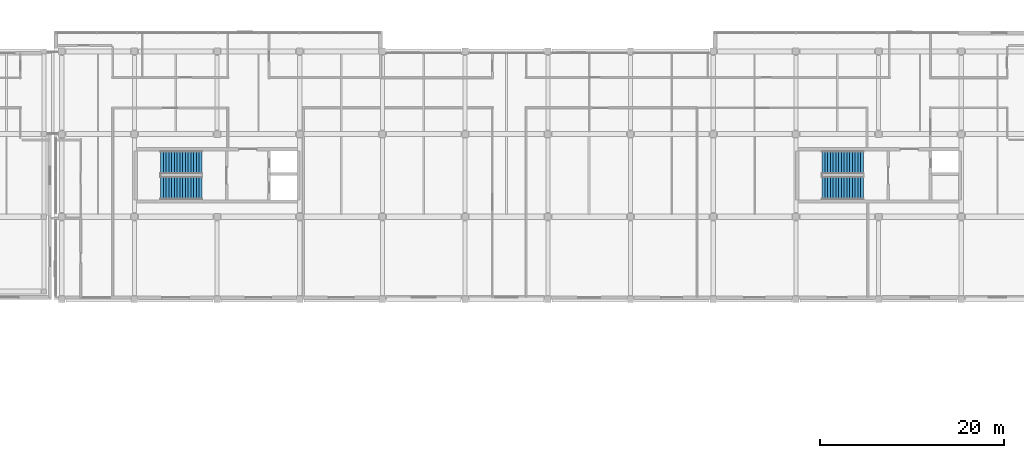
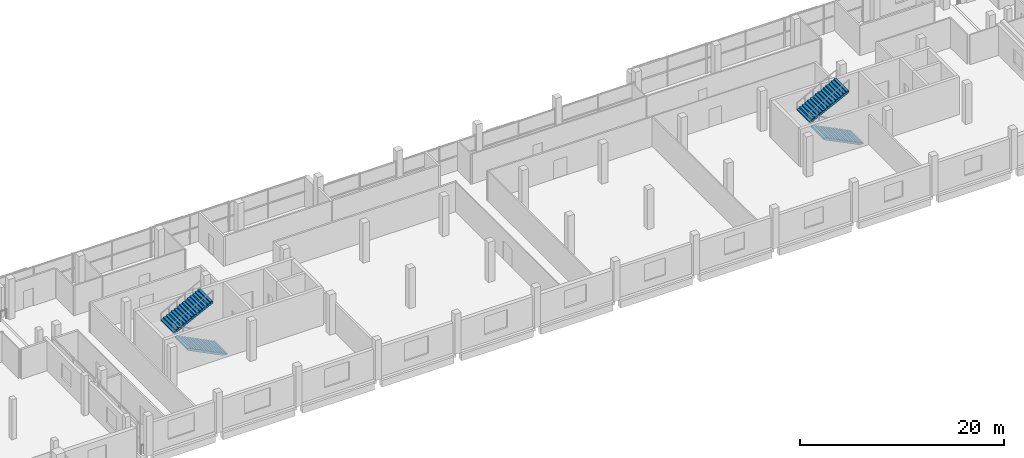
# One storey, part 88 of 111: 4 stair flights, 2 elements without a shape of their own.
"""IFC4 building model written with IfcOpenShell, lengths in metres."""

from ifc_helpers import new_model, si_unit, direction, frame, origin, place, context, subcontext, project, spatial, polyline, outline, extrude, material, type_object, element, aggregate, save


model = new_model("IFC4")

# Units and contexts
model_context = context("Model", 3, precision=1e-05, world=origin(), true_north=direction((0.0, 1.0)))
body_context = subcontext(model_context, "Body", "Model", "MODEL_VIEW")
ifc_project = project(units=[si_unit("LENGTHUNIT", "METRE"), si_unit("AREAUNIT", "SQUARE_METRE"), si_unit("VOLUMEUNIT", "CUBIC_METRE"), si_unit("PLANEANGLEUNIT", "RADIAN"), si_unit("MASSUNIT", "GRAM", prefix="KILO"), si_unit("THERMODYNAMICTEMPERATUREUNIT", "KELVIN"), si_unit("POWERUNIT", "WATT")], contexts=[model_context])

# Site, building, storey
site_placement = place(None, origin())
site = spatial("IfcSite", under=ifc_project, at=site_placement, CompositionType="ELEMENT")
building_placement = place(site_placement, origin())
building = spatial("IfcBuilding", under=site, at=building_placement, Name="Sindhuravela Promenade Stadium", CompositionType="ELEMENT")
storey_placement = place(building_placement, frame((0.0, 0.0, 9.60009765625)))
storey = spatial("IfcBuildingStorey", under=building, at=storey_placement, Name="L02", CompositionType="ELEMENT", Elevation=9.60009765625)

# Stair, stair flights
ifc_material = material(Name="Concrete M40", Category="concrete")
stair_type = type_object("IfcStairType", Name="ST-CORE-DOGLEG", PredefinedType="HALF_TURN_STAIR", material=ifc_material)
stair_1_placement = place(storey_placement, origin())
stair_1 = element("IfcStair", 1, at=stair_1_placement, inside=storey, type_object=stair_type, Name="Protected escape stair ST09 (L02)", PredefinedType="HALF_TURN_STAIR")
stair_flight_type = type_object("IfcStairFlightType", Name="SF-CORE-2400", PredefinedType="STRAIGHT", material=ifc_material)
stair_flight_1_placement = place(storey_placement, frame((70.35009765625, 138.090087890625, 0.0), z_axis=(0.0, 0.0, 1.0), x_axis=(-1.0, 0.0, 0.0)))
stair_flight_1 = element("IfcStairFlight", 2, at=stair_flight_1_placement, type_object=stair_flight_type, Name="Stair ST09 lower flight (L02)", NumberOfRisers=16, NumberOfTreads=15, PredefinedType="STRAIGHT", RiserHeight=0.15, TreadLength=0.3, context=body_context, shape_type="SweptSolid", body=[
    extrude(outline(polyline([(0.0, 0.0), (0.0, 0.14990234375), (0.300048828125, 0.14990234375), (0.300048828125, 0.300048828125), (0.60009765625, 0.300048828125), (0.60009765625, 0.449951171875), (0.89990234375, 0.449951171875), (0.89990234375, 0.60009765625), (1.199951171875, 0.60009765625), (1.199951171875, 0.75), (1.5, 0.75), (1.5, 0.89990234375), (1.800048828125, 0.89990234375), (1.800048828125, 1.050048828125), (2.10009765625, 1.050048828125), (2.10009765625, 1.199951171875), (2.39990234375, 1.199951171875), (2.39990234375, 1.35009765625), (2.699951171875, 1.35009765625), (2.699951171875, 1.5), (3.0, 1.5), (3.0, 1.64990234375), (3.300048828125, 1.64990234375), (3.300048828125, 1.800048828125), (3.60009765625, 1.800048828125), (3.60009765625, 1.949951171875), (3.89990234375, 1.949951171875), (3.89990234375, 2.10009765625), (4.199951171875, 2.10009765625), (4.199951171875, 2.25), (4.5, 2.25), (4.5, 2.39990234375), (4.5, 2.0263671875), (0.447021484375, 0.0), (0.0, 0.0)])), frame((0.0, 1.25, 0.0), z_axis=(0.0, -1.0, 0.0), x_axis=(1.0, 0.0, 0.0)), (0.0, 0.0, 1.0), 2.5),
])
stair_flight_2_placement = place(storey_placement, frame((65.85009765625, 140.909912109375, 2.39990234375), z_axis=(0.0, 0.0, 1.0), x_axis=(1.0, 0.0, 0.0)))
stair_flight_2 = element("IfcStairFlight", 3, at=stair_flight_2_placement, type_object=stair_flight_type, Name="Stair ST09 upper flight (L02)", NumberOfRisers=16, NumberOfTreads=15, PredefinedType="STRAIGHT", RiserHeight=0.15, TreadLength=0.3, context=body_context, shape_type="SweptSolid", body=[
    extrude(outline(polyline([(0.0, 0.0), (0.0, 0.14990234375), (0.300048828125, 0.14990234375), (0.300048828125, 0.300048828125), (0.60009765625, 0.300048828125), (0.60009765625, 0.449951171875), (0.89990234375, 0.449951171875), (0.89990234375, 0.60009765625), (1.199951171875, 0.60009765625), (1.199951171875, 0.75), (1.5, 0.75), (1.5, 0.89990234375), (1.800048828125, 0.89990234375), (1.800048828125, 1.050048828125), (2.10009765625, 1.050048828125), (2.10009765625, 1.199951171875), (2.39990234375, 1.199951171875), (2.39990234375, 1.35009765625), (2.699951171875, 1.35009765625), (2.699951171875, 1.5), (3.0, 1.5), (3.0, 1.64990234375), (3.300048828125, 1.64990234375), (3.300048828125, 1.800048828125), (3.60009765625, 1.800048828125), (3.60009765625, 1.949951171875), (3.89990234375, 1.949951171875), (3.89990234375, 2.10009765625), (4.199951171875, 2.10009765625), (4.199951171875, 2.25), (4.5, 2.25), (4.5, 2.39990234375), (4.5, 2.0263671875), (0.447021484375, 0.0), (0.0, 0.0)])), frame((0.0, 1.25, 0.0), z_axis=(0.0, -1.0, 0.0), x_axis=(1.0, 0.0, 0.0)), (0.0, 0.0, 1.0), 2.5),
])
aggregate(stair_1, [stair_flight_1, stair_flight_2])

stair_2_placement = place(storey_placement, origin())
stair_2 = element("IfcStair", 4, at=stair_2_placement, inside=storey, type_object=stair_type, Name="Protected escape stair ST10 (L02)", PredefinedType="HALF_TURN_STAIR")
stair_flight_3_placement = place(storey_placement, frame((142.35009765625, 138.090087890625, 0.0), z_axis=(0.0, 0.0, 1.0), x_axis=(-1.0, 0.0, 0.0)))
stair_flight_3 = element("IfcStairFlight", 5, at=stair_flight_3_placement, type_object=stair_flight_type, Name="Stair ST10 lower flight (L02)", NumberOfRisers=16, NumberOfTreads=15, PredefinedType="STRAIGHT", RiserHeight=0.15, TreadLength=0.3, context=body_context, shape_type="SweptSolid", body=[
    extrude(outline(polyline([(0.0, 0.0), (0.0, 0.14990234375), (0.300048828125, 0.14990234375), (0.300048828125, 0.300048828125), (0.60009765625, 0.300048828125), (0.60009765625, 0.449951171875), (0.89990234375, 0.449951171875), (0.89990234375, 0.60009765625), (1.199951171875, 0.60009765625), (1.199951171875, 0.75), (1.5, 0.75), (1.5, 0.89990234375), (1.800048828125, 0.89990234375), (1.800048828125, 1.050048828125), (2.10009765625, 1.050048828125), (2.10009765625, 1.199951171875), (2.39990234375, 1.199951171875), (2.39990234375, 1.35009765625), (2.699951171875, 1.35009765625), (2.699951171875, 1.5), (3.0, 1.5), (3.0, 1.64990234375), (3.300048828125, 1.64990234375), (3.300048828125, 1.800048828125), (3.60009765625, 1.800048828125), (3.60009765625, 1.949951171875), (3.89990234375, 1.949951171875), (3.89990234375, 2.10009765625), (4.199951171875, 2.10009765625), (4.199951171875, 2.25), (4.5, 2.25), (4.5, 2.39990234375), (4.5, 2.0263671875), (0.447021484375, 0.0), (0.0, 0.0)])), frame((0.0, 1.25, 0.0), z_axis=(0.0, -1.0, 0.0), x_axis=(1.0, 0.0, 0.0)), (0.0, 0.0, 1.0), 2.5),
])
stair_flight_4_placement = place(storey_placement, frame((137.85009765625, 140.909912109375, 2.39990234375), z_axis=(0.0, 0.0, 1.0), x_axis=(1.0, 0.0, 0.0)))
stair_flight_4 = element("IfcStairFlight", 6, at=stair_flight_4_placement, type_object=stair_flight_type, Name="Stair ST10 upper flight (L02)", NumberOfRisers=16, NumberOfTreads=15, PredefinedType="STRAIGHT", RiserHeight=0.15, TreadLength=0.3, context=body_context, shape_type="SweptSolid", body=[
    extrude(outline(polyline([(0.0, 0.0), (0.0, 0.14990234375), (0.300048828125, 0.14990234375), (0.300048828125, 0.300048828125), (0.60009765625, 0.300048828125), (0.60009765625, 0.449951171875), (0.89990234375, 0.449951171875), (0.89990234375, 0.60009765625), (1.199951171875, 0.60009765625), (1.199951171875, 0.75), (1.5, 0.75), (1.5, 0.89990234375), (1.800048828125, 0.89990234375), (1.800048828125, 1.050048828125), (2.10009765625, 1.050048828125), (2.10009765625, 1.199951171875), (2.39990234375, 1.199951171875), (2.39990234375, 1.35009765625), (2.699951171875, 1.35009765625), (2.699951171875, 1.5), (3.0, 1.5), (3.0, 1.64990234375), (3.300048828125, 1.64990234375), (3.300048828125, 1.800048828125), (3.60009765625, 1.800048828125), (3.60009765625, 1.949951171875), (3.89990234375, 1.949951171875), (3.89990234375, 2.10009765625), (4.199951171875, 2.10009765625), (4.199951171875, 2.25), (4.5, 2.25), (4.5, 2.39990234375), (4.5, 2.0263671875), (0.447021484375, 0.0), (0.0, 0.0)])), frame((0.0, 1.25, 0.0), z_axis=(0.0, -1.0, 0.0), x_axis=(1.0, 0.0, 0.0)), (0.0, 0.0, 1.0), 2.5),
])
aggregate(stair_2, [stair_flight_3, stair_flight_4])

save(model, "model.ifc")
